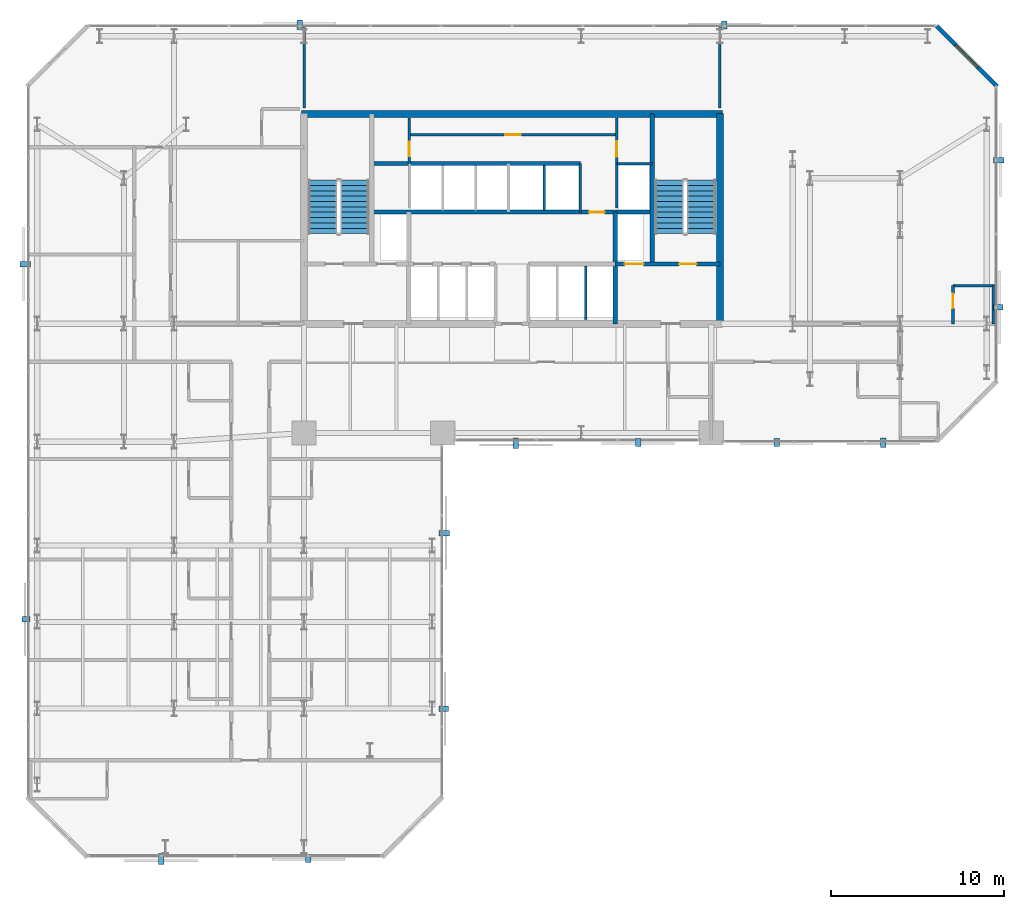
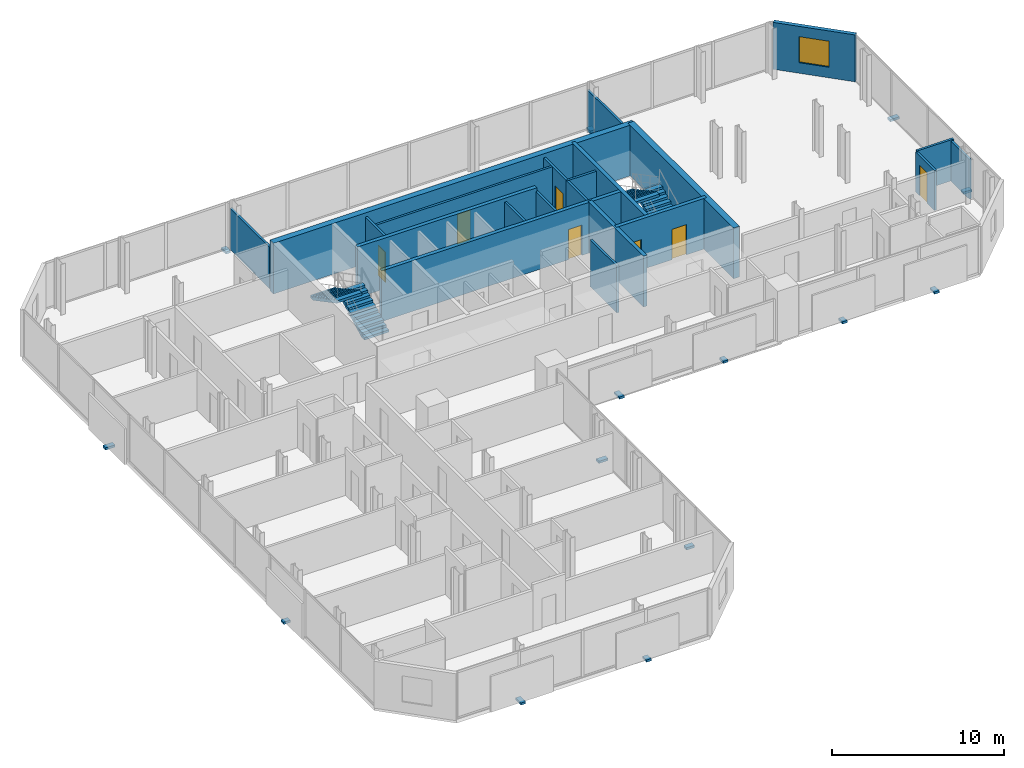
# One storey, part 31 of 33: 21 walls, 14 discrete accessories, 7 doors, 4 stair flights, 1 window, 8 openings, 2 elements without a shape of their own.
"""IFC4 building model written with IfcOpenShell, lengths in metres."""

import ifcopenshell
import ifcopenshell.guid

model = None  # the IFC model being written
_history = None  # IfcOwnerHistory: only IFC2X3 demands one
_inside = {}  # id of a spatial element -> (the spatial element, [elements in it])
_under = {}  # id of a project, library or spatial element -> (it, [spatial elements below it])
_declared = {}  # id of a project -> (the project, [libraries it declares])
_typed = {}  # id of a type object -> (the type object, [elements of that type])
_made_of = {}  # id of a material, layer set ... -> (it, [elements and type objects made of it])


def new_model(schema):
    """Start an empty IFC model of exactly this schema.

    Asked for "IFC4X3", IfcOpenShell would pick the latest addendum, in which some entities
    have other attributes; the version numbers below select the first issue.
    IFC2X3 requires an IfcOwnerHistory on every rooted entity: one is made here for all.
    """
    global model, _history
    if schema == "IFC4X3":
        model = ifcopenshell.file(schema_version=(4, 3, 0, 0))
    else:
        model = ifcopenshell.file(schema=schema)
    _inside.clear()
    _under.clear()
    _declared.clear()
    _typed.clear()
    _made_of.clear()
    _history = None
    if model.schema == "IFC2X3":
        org = make("IfcOrganization", Name="unknown")
        user = make(
            "IfcPersonAndOrganization",
            ThePerson=make("IfcPerson", FamilyName="unknown"),
            TheOrganization=org,
        )
        app = make(
            "IfcApplication",
            ApplicationDeveloper=org,
            Version="unknown",
            ApplicationFullName="unknown",
            ApplicationIdentifier="unknown",
        )
        _history = make(
            "IfcOwnerHistory",
            OwningUser=user,
            OwningApplication=app,
            ChangeAction="ADDED",
            CreationDate=0,
        )
    return model


def make(cls, **values):
    """One entity of the class cls with the attributes given. An attribute that is None is left unset."""
    return model.create_entity(
        cls, **{name: value for name, value in values.items() if value is not None}
    )


def rooted(cls, **values):
    """An entity with a GlobalId (a new one), such as an element, a storey or a relation."""
    return make(cls, GlobalId=ifcopenshell.guid.new(), OwnerHistory=_history, **values)


def si_unit(unit_type, name, prefix=None):
    """IfcSIUnit, for example si_unit("LENGTHUNIT", "METRE", prefix="MILLI")."""
    return make("IfcSIUnit", UnitType=unit_type, Prefix=prefix, Name=name)


def assignment(units):
    """IfcUnitAssignment: the units of a project."""
    return None if units is None else make("IfcUnitAssignment", Units=units)


def point(xyz):
    """IfcCartesianPoint."""
    return None if xyz is None else make("IfcCartesianPoint", Coordinates=xyz)


def direction(xyz):
    """IfcDirection."""
    return None if xyz is None else make("IfcDirection", DirectionRatios=xyz)


def frame(location, z_axis=None, x_axis=None):
    """IfcAxis2Placement3D, a coordinate frame: its origin and axes. An axis left out is left unset."""
    return make(
        "IfcAxis2Placement3D",
        Location=point(location),
        Axis=direction(z_axis),
        RefDirection=direction(x_axis),
    )


def frame_2d(location, x_axis=None):
    """IfcAxis2Placement2D, a coordinate frame in the plane: its origin and x axis."""
    return make(
        "IfcAxis2Placement2D", Location=point(location), RefDirection=direction(x_axis)
    )


def origin():
    """The frame at (0, 0, 0) with its axes left unset."""
    return frame((0.0, 0.0, 0.0))


def origin_2d():
    """The frame at (0, 0) in the plane with its x axis left unset."""
    return frame_2d((0.0, 0.0))


def place(relative_to, where):
    """IfcLocalPlacement: puts the frame where relative to a parent placement (None: the world)."""
    return make(
        "IfcLocalPlacement", PlacementRelTo=relative_to, RelativePlacement=where
    )


def context(
    kind, dimensions, precision=None, world=None, true_north=None, identifier=None
):
    """IfcGeometricRepresentationContext, for example the 3D "Model" context."""
    return make(
        "IfcGeometricRepresentationContext",
        ContextIdentifier=identifier,
        ContextType=kind,
        CoordinateSpaceDimension=dimensions,
        Precision=precision,
        WorldCoordinateSystem=world,
        TrueNorth=true_north,
    )


def subcontext(parent, identifier, kind, view, scale=None):
    """IfcGeometricRepresentationSubContext, for example "Body" below "Model"."""
    return make(
        "IfcGeometricRepresentationSubContext",
        ContextIdentifier=identifier,
        ContextType=kind,
        ParentContext=parent,
        TargetScale=scale,
        TargetView=view,
    )


def project(units=None, contexts=None):
    """IfcProject with its units and contexts."""
    return rooted(
        "IfcProject",
        Name="project",
        RepresentationContexts=contexts,
        UnitsInContext=assignment(units),
    )


def spatial(cls, under=None, at=None, **own):
    """A site, building, storey or space (cls), placed at a placement, below another one or the project."""
    s = rooted(cls, ObjectPlacement=at, **own)
    if under is not None:
        _under.setdefault(under.id(), (under, []))[1].append(s)
    return s


def polyline(points):
    """IfcPolyline through the points."""
    return make("IfcPolyline", Points=[point(p) for p in points])


def profile(cls, at=None, kind="AREA", **sizes):
    """A parametric profile (cls). Its sizes go by their IFC names, for example OverallWidth=200.0."""
    return make(cls, ProfileType=kind, Position=at, **sizes)


def rectangle(**sizes):
    """IfcRectangleProfileDef."""
    return profile("IfcRectangleProfileDef", **sizes)


def outline(outer, holes=None, kind="AREA"):
    """IfcArbitraryClosedProfileDef: a profile drawn as a closed curve; with holes, ...WithVoids."""
    if holes is None:
        return make("IfcArbitraryClosedProfileDef", ProfileType=kind, OuterCurve=outer)
    return make(
        "IfcArbitraryProfileDefWithVoids",
        ProfileType=kind,
        OuterCurve=outer,
        InnerCurves=holes,
    )


def extrude(swept, where, along, depth):
    """IfcExtrudedAreaSolid: the profile swept, set in the frame where, extruded along a direction by depth."""
    return make(
        "IfcExtrudedAreaSolid",
        SweptArea=swept,
        Position=where,
        ExtrudedDirection=direction(along),
        Depth=depth,
    )


def shape(context_of_items, identifier, shape_type, items):
    """IfcShapeRepresentation: the items that make up one representation, for example the "Body"."""
    return make(
        "IfcShapeRepresentation",
        ContextOfItems=context_of_items,
        RepresentationIdentifier=identifier,
        RepresentationType=shape_type,
        Items=items,
    )


def material(Name=None, Category=None):
    """IfcMaterial."""
    return make("IfcMaterial", Name=Name, Category=Category)


def layer(
    of_material, thickness, ventilated=None, Name=None, Category=None, Priority=None
):
    """IfcMaterialLayer: one layer of a wall or slab, of a material (None: an air gap)."""
    return make(
        "IfcMaterialLayer",
        Material=of_material,
        LayerThickness=thickness,
        IsVentilated=ventilated,
        Name=Name,
        Category=Category,
        Priority=Priority,
    )


def layer_set(layers, Name=None):
    """IfcMaterialLayerSet."""
    return make("IfcMaterialLayerSet", MaterialLayers=layers, LayerSetName=Name)


def made_of(thing, what):
    """Note that an element or type object is made of a material, layer set ...; save() writes the relation."""
    if what is not None:
        _made_of.setdefault(what.id(), (what, []))[1].append(thing)
    return thing


def type_object(cls, material=None, **own):
    """A type object (cls), such as IfcWallType, which elements share."""
    return made_of(rooted(cls, **own), material)


def element(
    cls,
    number,
    at=None,
    inside=None,
    cuts=None,
    type_object=None,
    material=None,
    context=None,
    identifier="Body",
    shape_type=None,
    held_by="IfcProductDefinitionShape",
    body=None,
    shapes=None,
    **own,
):
    """One element of the class cls, such as IfcWall. Its Tag is "e" and its number.

    at: its placement. inside: the storey or other place that contains it. cuts: it is an
    opening in that element (IfcRelVoidsElement). A single representation is given by context,
    identifier, shape_type and body (its items); several are given by shapes. held_by: the class
    of the entity that holds the representations. save() writes the other relations.
    """
    e = rooted(cls, Tag="e%d" % number, ObjectPlacement=at, **own)
    if body is not None:
        shapes = [shape(context, identifier, shape_type, body)]
    if shapes is not None:
        e.Representation = make(held_by, Representations=shapes)
    if inside is not None:
        _inside.setdefault(inside.id(), (inside, []))[1].append(e)
    if cuts is not None:
        rooted(
            "IfcRelVoidsElement", RelatingBuildingElement=cuts, RelatedOpeningElement=e
        )
    if type_object is not None:
        _typed.setdefault(type_object.id(), (type_object, []))[1].append(e)
    return made_of(e, material)


def fill(opening, filler):
    """IfcRelFillsElement: the door or window that sits in an opening."""
    return rooted(
        "IfcRelFillsElement",
        RelatingOpeningElement=opening,
        RelatedBuildingElement=filler,
    )


def aggregate(whole, parts):
    """IfcRelAggregates: a whole, such as a stair, and the parts it consists of."""
    return rooted("IfcRelAggregates", RelatingObject=whole, RelatedObjects=parts)


def save(model, path):
    """Write the relations noted so far, then the file.

    IfcRelAggregates (storeys below a building ...), IfcRelContainedInSpatialStructure (elements
    in a storey), IfcRelDefinesByType, IfcRelAssociatesMaterial and IfcRelDeclares: one each for
    every whole, place, type object, material and project.
    """
    for whole, parts in _under.values():
        aggregate(whole, parts)
    for where, things in _inside.values():
        rooted(
            "IfcRelContainedInSpatialStructure",
            RelatedElements=things,
            RelatingStructure=where,
        )
    for kind, things in _typed.values():
        rooted("IfcRelDefinesByType", RelatedObjects=things, RelatingType=kind)
    for what, things in _made_of.values():
        rooted("IfcRelAssociatesMaterial", RelatedObjects=things, RelatingMaterial=what)
    for by, libraries in _declared.values():
        rooted("IfcRelDeclares", RelatingContext=by, RelatedDefinitions=libraries)
    model.write(path)


model = new_model("IFC4")

# Units and contexts
model_context = context("Model", 3, precision=1e-05, world=origin(), true_north=direction((0.0, 1.0)))
body_context = subcontext(model_context, "Body", "Model", "MODEL_VIEW")
ifc_project = project(units=[si_unit("LENGTHUNIT", "METRE"), si_unit("AREAUNIT", "SQUARE_METRE"), si_unit("VOLUMEUNIT", "CUBIC_METRE"), si_unit("PLANEANGLEUNIT", "RADIAN"), si_unit("MASSUNIT", "GRAM", prefix="KILO")], contexts=[model_context])

# Site, building, storey
site_placement = place(None, origin())
site = spatial("IfcSite", under=ifc_project, at=site_placement, CompositionType="ELEMENT")
building_placement = place(site_placement, origin())
building = spatial("IfcBuilding", under=site, at=building_placement, Name="Catumbela Crestline Tower", CompositionType="ELEMENT")
storey_placement = place(building_placement, frame((0.0, 0.0, 72.6)))
storey = spatial("IfcBuildingStorey", under=building, at=storey_placement, Name="L18", CompositionType="ELEMENT", Elevation=72.6)

# Walls
ifc_material_1 = material(Name="Concrete C50/60", Category="concrete")
ifc_layer_1 = layer(ifc_material_1, 0.25, Name="Concrete C50/60")
ifc_layer_set_1 = layer_set([ifc_layer_1], Name="Concrete C50/60")
wall_type_1 = type_object("IfcWallType", Name="CW-250D", PredefinedType="SHEAR", material=ifc_layer_set_1)
wall_1_placement = place(storey_placement, frame((36.1, 34.25, 0.0), z_axis=(0.0, 0.0, 1.0), x_axis=(0.0, 1.0, 0.0)))
element("IfcWall", 1, at=wall_1_placement, inside=storey, type_object=wall_type_1, Name="L18 Structural Core Shear Wall EWEB", PredefinedType="SHEAR", context=body_context, shape_type="SweptSolid", body=[
    extrude(rectangle(XDim=8.65, YDim=0.25, at=frame_2d((4.325, 0.0))), origin(), (0.0, 0.0, 1.0), 3.6),
])
wall_2_placement = place(storey_placement, frame((33.95, 30.8, 0.0), z_axis=(0.0, 0.0, 1.0), x_axis=(0.0, 1.0, 0.0)))
element("IfcWall", 2, at=wall_2_placement, inside=storey, type_object=wall_type_1, Name="L18 Structural Core Shear Wall FFE", PredefinedType="SHEAR", context=body_context, shape_type="SweptSolid", body=[
    extrude(rectangle(XDim=6.45, YDim=0.25, at=frame_2d((3.225, 0.0))), origin(), (0.0, 0.0, 1.0), 3.6),
])

# Wall, openings, doors
wall_3_placement = place(storey_placement, frame((33.95, 34.25, 0.0), z_axis=(0.0, 0.0, 1.0), x_axis=(1.0, 0.0, 0.0)))
wall_3 = element("IfcWall", 3, at=wall_3_placement, inside=storey, type_object=wall_type_1, Name="L18 Structural Core Shear Wall ST2S", PredefinedType="SHEAR", context=body_context, shape_type="SweptSolid", body=[
    extrude(rectangle(XDim=6.05, YDim=0.25, at=frame_2d((3.025, 0.0))), origin(), (0.0, 0.0, 1.0), 3.6),
])
opening_1_placement = place(wall_3_placement, frame((3.7, 0.0, 0.0)))
opening_1 = element("IfcOpeningElement", 4, at=opening_1_placement, cuts=wall_3, Name="Opening DF9-100", PredefinedType="OPENING", context=body_context, shape_type="SweptSolid", body=[
    extrude(rectangle(XDim=1.0, YDim=2.15, at=frame_2d((0.5, 1.075))), frame((0.0, 0.135, 0.0), z_axis=(0.0, -1.0, 0.0), x_axis=(1.0, 0.0, 0.0)), (0.0, 0.0, 1.0), 0.27),
])
opening_2_placement = place(wall_3_placement, frame((0.55, 0.0, 0.0)))
opening_2 = element("IfcOpeningElement", 5, at=opening_2_placement, cuts=wall_3, Name="Opening LD-110", PredefinedType="OPENING", context=body_context, shape_type="SweptSolid", body=[
    extrude(rectangle(XDim=1.1, YDim=2.15, at=frame_2d((0.55, 1.075))), frame((0.0, 0.135, 0.0), z_axis=(0.0, -1.0, 0.0), x_axis=(1.0, 0.0, 0.0)), (0.0, 0.0, 1.0), 0.27),
])
ifc_material_2 = material(Name="Stainless steel EN 1.4401", Category="steel")
door_type_1 = type_object("IfcDoorType", Name="DF9-100", OperationType="NOTDEFINED", PredefinedType="DOOR", material=ifc_material_2)
door_1_placement = place(opening_1_placement, origin())
door_1 = element("IfcDoor", 6, at=door_1_placement, inside=storey, type_object=door_type_1, Name="L18 Interior Door DR-L18-ST02", OperationType="SINGLE_SWING_RIGHT", OverallHeight=2.15, OverallWidth=1.0, PredefinedType="DOOR", context=body_context, shape_type="SweptSolid", body=[
    extrude(rectangle(XDim=1.0, YDim=2.15, at=frame_2d((0.5, 1.075))), frame((0.0, 0.025, 0.0), z_axis=(0.0, -1.0, 0.0), x_axis=(1.0, 0.0, 0.0)), (0.0, 0.0, 1.0), 0.05),
])
fill(opening_1, door_1)
door_type_2 = type_object("IfcDoorType", Name="LD-110", OperationType="NOTDEFINED", PredefinedType="DOOR", material=ifc_material_2)
door_2_placement = place(opening_2_placement, origin())
door_2 = element("IfcDoor", 7, at=door_2_placement, inside=storey, type_object=door_type_2, Name="L18 Lift Landing Sliding Door FL-02", OperationType="DOUBLE_DOOR_SLIDING", OverallHeight=2.15, OverallWidth=1.1, PredefinedType="DOOR", context=body_context, shape_type="SweptSolid", body=[
    extrude(rectangle(XDim=1.1, YDim=2.15, at=frame_2d((0.55, 1.075))), frame((0.0, 0.025, 0.0), z_axis=(0.0, -1.0, 0.0), x_axis=(1.0, 0.0, 0.0)), (0.0, 0.0, 1.0), 0.05),
])
fill(opening_2, door_2)

# Wall, opening, door
wall_4_placement = place(storey_placement, frame((19.9, 37.25, 0.0), z_axis=(0.0, 0.0, 1.0), x_axis=(1.0, 0.0, 0.0)))
wall_4 = element("IfcWall", 8, at=wall_4_placement, inside=storey, type_object=wall_type_1, Name="L18 Structural Core Shear Wall LIFTN", PredefinedType="SHEAR", context=body_context, shape_type="SweptSolid", body=[
    extrude(rectangle(XDim=16.2, YDim=0.25, at=frame_2d((8.1, 0.0))), origin(), (0.0, 0.0, 1.0), 3.6),
])
opening_3_placement = place(wall_4_placement, frame((12.55, 0.0, 0.0)))
opening_3 = element("IfcOpeningElement", 9, at=opening_3_placement, cuts=wall_4, Name="Opening DF9-090", PredefinedType="OPENING", context=body_context, shape_type="SweptSolid", body=[
    extrude(rectangle(XDim=0.9, YDim=2.15, at=frame_2d((0.45, 1.075))), frame((0.0, 0.135, 0.0), z_axis=(0.0, -1.0, 0.0), x_axis=(1.0, 0.0, 0.0)), (0.0, 0.0, 1.0), 0.27),
])
door_type_3 = type_object("IfcDoorType", Name="DF9-090", OperationType="NOTDEFINED", PredefinedType="DOOR", material=ifc_material_2)
door_3_placement = place(opening_3_placement, origin())
door_3 = element("IfcDoor", 10, at=door_3_placement, inside=storey, type_object=door_type_3, Name="L18 Interior Door DR-L18-CPAS1", OperationType="SINGLE_SWING_LEFT", OverallHeight=2.15, OverallWidth=0.9, PredefinedType="DOOR", context=body_context, shape_type="SweptSolid", body=[
    extrude(rectangle(XDim=0.9, YDim=2.15, at=frame_2d((0.45, 1.075))), frame((0.0, 0.025, 0.0), z_axis=(0.0, -1.0, 0.0), x_axis=(1.0, 0.0, 0.0)), (0.0, 0.0, 1.0), 0.05),
])
fill(opening_3, door_3)

# Walls
wall_5_placement = place(storey_placement, frame((19.9, 40.05, 0.0), z_axis=(0.0, 0.0, 1.0), x_axis=(1.0, 0.0, 0.0)))
element("IfcWall", 11, at=wall_5_placement, inside=storey, type_object=wall_type_1, Name="L18 Structural Core Shear Wall COREN", PredefinedType="SHEAR", context=body_context, shape_type="SweptSolid", body=[
    extrude(rectangle(XDim=12.05, YDim=0.25, at=frame_2d((6.025, 0.0))), origin(), (0.0, 0.0, 1.0), 3.6),
])
ifc_material_3 = material(Name="Concrete C60/75", Category="concrete")
ifc_layer_2 = layer(ifc_material_3, 0.4, Name="Concrete C60/75")
ifc_layer_set_2 = layer_set([ifc_layer_2], Name="Concrete C60/75")
wall_type_2 = type_object("IfcWallType", Name="CW-400A", PredefinedType="SHEAR", material=ifc_layer_set_2)
wall_6_placement = place(storey_placement, frame((40.0, 30.65, 0.0), z_axis=(0.0, 0.0, 1.0), x_axis=(0.0, 1.0, 0.0)))
element("IfcWall", 12, at=wall_6_placement, inside=storey, type_object=wall_type_2, Name="L18 Structural Core Shear Wall E", PredefinedType="SHEAR", context=body_context, shape_type="SweptSolid", body=[
    extrude(rectangle(XDim=12.3, YDim=0.4, at=frame_2d((6.15, 0.0))), origin(), (0.0, 0.0, 1.0), 3.6),
])
wall_7_placement = place(storey_placement, frame((15.85, 42.9, 0.0), z_axis=(0.0, 0.0, 1.0), x_axis=(1.0, 0.0, 0.0)))
element("IfcWall", 13, at=wall_7_placement, inside=storey, type_object=wall_type_2, Name="L18 Structural Core Shear Wall N", PredefinedType="SHEAR", context=body_context, shape_type="SweptSolid", body=[
    extrude(rectangle(XDim=24.3, YDim=0.4, at=frame_2d((12.15, 0.0))), origin(), (0.0, 0.0, 1.0), 3.6),
])

# Wall, opening, window
ifc_material_4 = material(Name="Angolan grey-ochre granite", Category="masonry")
ifc_layer_3 = layer(ifc_material_4, 0.25, Name="Angolan grey-ochre granite")
ifc_layer_set_3 = layer_set([ifc_layer_3], Name="Angolan grey-ochre granite")
wall_type_3 = type_object("IfcWallType", Name="WE-250", PredefinedType="STANDARD", material=ifc_layer_set_3)
wall_8_placement = place(storey_placement, frame((56.0, 44.5, 0.0), z_axis=(0.0, 0.0, 1.0), x_axis=(-0.707106781187, 0.707106781187, 0.0)))
wall_8 = element("IfcWall", 14, at=wall_8_placement, inside=storey, type_object=wall_type_3, Name="L18 Granite Punched Window Wall 6-1", PredefinedType="STANDARD", context=body_context, shape_type="SweptSolid", body=[
    extrude(rectangle(XDim=4.9497, YDim=0.25, at=frame_2d((2.4748, 0.0))), origin(), (0.0, 0.0, 1.0), 3.33),
])
opening_4_placement = place(wall_8_placement, frame((1.5749, 0.0, 0.75)))
opening_4 = element("IfcOpeningElement", 15, at=opening_4_placement, cuts=wall_8, Name="Opening WN-01", PredefinedType="OPENING", context=body_context, shape_type="SweptSolid", body=[
    extrude(rectangle(XDim=1.8, YDim=1.85, at=frame_2d((0.9, 0.925))), frame((0.0, 0.135, 0.0), z_axis=(0.0, -1.0, 0.0), x_axis=(1.0, 0.0, 0.0)), (0.0, 0.0, 1.0), 0.27),
])
ifc_material_5 = material(Name="Low-E laminated solar-control double glazing", Category="glass")
window_type = type_object("IfcWindowType", Name="WF-1800", PartitioningType="SINGLE_PANEL", PredefinedType="WINDOW", material=ifc_material_5)
window_placement = place(opening_4_placement, origin())
window = element("IfcWindow", 16, at=window_placement, inside=storey, type_object=window_type, Name="L18 Facade Vision Window 115", OverallHeight=1.85, OverallWidth=1.8, PartitioningType="SINGLE_PANEL", PredefinedType="WINDOW", context=body_context, shape_type="SweptSolid", body=[
    extrude(rectangle(XDim=1.8, YDim=1.85, at=frame_2d((0.9, 0.925))), frame((0.0, 0.03, 0.0), z_axis=(0.0, -1.0, 0.0), x_axis=(1.0, 0.0, 0.0)), (0.0, 0.0, 1.0), 0.06),
])
fill(opening_4, window)

# Wall
ifc_material_6 = material(Name="Acoustic gypsum and mineral-wool partition")
ifc_layer_4 = layer(ifc_material_6, 0.15, Name="Acoustic gypsum and mineral-wool partition")
ifc_layer_set_4 = layer_set([ifc_layer_4], Name="Acoustic gypsum and mineral-wool partition")
wall_type_4 = type_object("IfcWallType", Name="WP-150", PredefinedType="PARTITIONING", material=ifc_layer_set_4)
wall_9_placement = place(storey_placement, frame((34.05, 40.05, 0.0), z_axis=(0.0, 0.0, 1.0), x_axis=(1.0, 0.0, 0.0)))
element("IfcWall", 17, at=wall_9_placement, inside=storey, type_object=wall_type_4, Name="L18 Interior Partition PW-L18-CR-ES", PredefinedType="PARTITIONING", context=body_context, shape_type="SweptSolid", body=[
    extrude(rectangle(XDim=2.05, YDim=0.15, at=frame_2d((1.025, 0.0))), origin(), (0.0, 0.0, 1.0), 3.33),
])

# Wall, opening, door
wall_10_placement = place(storey_placement, frame((34.05, 40.05, 0.0), z_axis=(0.0, 0.0, 1.0), x_axis=(0.0, 1.0, 0.0)))
wall_10 = element("IfcWall", 18, at=wall_10_placement, inside=storey, type_object=wall_type_4, Name="L18 Interior Partition PW-L18-CR-EW", PredefinedType="PARTITIONING", context=body_context, shape_type="SweptSolid", body=[
    extrude(rectangle(XDim=2.63, YDim=0.15, at=frame_2d((1.315, 0.0))), origin(), (0.0, 0.0, 1.0), 3.33),
])
opening_5_placement = place(wall_10_placement, frame((0.385, 0.0, 0.0)))
opening_5 = element("IfcOpeningElement", 19, at=opening_5_placement, cuts=wall_10, Name="Opening DF9-090", PredefinedType="OPENING", context=body_context, shape_type="SweptSolid", body=[
    extrude(rectangle(XDim=0.9, YDim=2.15, at=frame_2d((0.45, 1.075))), frame((0.0, 0.085, 0.0), z_axis=(0.0, -1.0, 0.0), x_axis=(1.0, 0.0, 0.0)), (0.0, 0.0, 1.0), 0.17),
])
door_4_placement = place(opening_5_placement, origin())
door_4 = element("IfcDoor", 20, at=door_4_placement, inside=storey, type_object=door_type_3, Name="L18 Interior Door DR-L18-CREAST", OperationType="SINGLE_SWING_RIGHT", OverallHeight=2.15, OverallWidth=0.9, PredefinedType="DOOR", context=body_context, shape_type="SweptSolid", body=[
    extrude(rectangle(XDim=0.9, YDim=2.15, at=frame_2d((0.45, 1.075))), frame((0.0, 0.025, 0.0), z_axis=(0.0, -1.0, 0.0), x_axis=(1.0, 0.0, 0.0)), (0.0, 0.0, 1.0), 0.05),
])
fill(opening_5, door_4)

wall_11_placement = place(storey_placement, frame((22.08, 40.05, 0.0), z_axis=(0.0, 0.0, 1.0), x_axis=(0.0, 1.0, 0.0)))
wall_11 = element("IfcWall", 21, at=wall_11_placement, inside=storey, type_object=wall_type_4, Name="L18 Interior Partition PW-L18-CR-WCW", PredefinedType="PARTITIONING", context=body_context, shape_type="SweptSolid", body=[
    extrude(rectangle(XDim=2.63, YDim=0.15, at=frame_2d((1.315, 0.0))), origin(), (0.0, 0.0, 1.0), 3.33),
])
opening_6_placement = place(wall_11_placement, frame((0.41, 0.0, 0.0)))
opening_6 = element("IfcOpeningElement", 22, at=opening_6_placement, cuts=wall_11, Name="Opening DI-085", PredefinedType="OPENING", context=body_context, shape_type="SweptSolid", body=[
    extrude(rectangle(XDim=0.85, YDim=2.15, at=frame_2d((0.425, 1.075))), frame((0.0, 0.085, 0.0), z_axis=(0.0, -1.0, 0.0), x_axis=(1.0, 0.0, 0.0)), (0.0, 0.0, 1.0), 0.17),
])
ifc_material_7 = material(Name="Aluminium alloy AW-6060-T66", Category="aluminium")
door_type_4 = type_object("IfcDoorType", Name="DI-085", OperationType="NOTDEFINED", PredefinedType="DOOR", material=ifc_material_7)
door_5_placement = place(opening_6_placement, origin())
door_5 = element("IfcDoor", 23, at=door_5_placement, inside=storey, type_object=door_type_4, Name="L18 Interior Door DR-L18-CRWC", OperationType="SINGLE_SWING_LEFT", OverallHeight=2.15, OverallWidth=0.85, PredefinedType="DOOR", context=body_context, shape_type="SweptSolid", body=[
    extrude(rectangle(XDim=0.85, YDim=2.15, at=frame_2d((0.425, 1.075))), frame((0.0, 0.025, 0.0), z_axis=(0.0, -1.0, 0.0), x_axis=(1.0, 0.0, 0.0)), (0.0, 0.0, 1.0), 0.05),
])
fill(opening_6, door_5)

wall_12_placement = place(storey_placement, frame((22.08, 41.72, 0.0), z_axis=(0.0, 0.0, 1.0), x_axis=(1.0, 0.0, 0.0)))
wall_12 = element("IfcWall", 24, at=wall_12_placement, inside=storey, type_object=wall_type_4, Name="L18 Interior Partition PW-L18-CR-MID", PredefinedType="PARTITIONING", context=body_context, shape_type="SweptSolid", body=[
    extrude(rectangle(XDim=11.97, YDim=0.15, at=frame_2d((5.985, 0.0))), origin(), (0.0, 0.0, 1.0), 3.33),
])
opening_7_placement = place(wall_12_placement, frame((5.535, 0.0, 0.0)))
opening_7 = element("IfcOpeningElement", 25, at=opening_7_placement, cuts=wall_12, Name="Opening DF9-090", PredefinedType="OPENING", context=body_context, shape_type="SweptSolid", body=[
    extrude(rectangle(XDim=0.9, YDim=2.15, at=frame_2d((0.45, 1.075))), frame((0.0, 0.085, 0.0), z_axis=(0.0, -1.0, 0.0), x_axis=(1.0, 0.0, 0.0)), (0.0, 0.0, 1.0), 0.17),
])
door_6_placement = place(opening_7_placement, origin())
door_6 = element("IfcDoor", 26, at=door_6_placement, inside=storey, type_object=door_type_3, Name="L18 Interior Door DR-L18-CRMID", OperationType="SINGLE_SWING_LEFT", OverallHeight=2.15, OverallWidth=0.9, PredefinedType="DOOR", context=body_context, shape_type="SweptSolid", body=[
    extrude(rectangle(XDim=0.9, YDim=2.15, at=frame_2d((0.45, 1.075))), frame((0.0, 0.025, 0.0), z_axis=(0.0, -1.0, 0.0), x_axis=(1.0, 0.0, 0.0)), (0.0, 0.0, 1.0), 0.05),
])
fill(opening_7, door_6)

# Walls
for number, where, z_axis, x_axis, name in (
    (27, (16.0, 43.27, 0.0), (0.0, 0.0, 1.0), (0.0, 1.0, 0.0), "L18 Interior Partition PW-L18-NCF-W"),
    (28, (40.0, 43.27, 0.0), (0.0, 0.0, 1.0), (0.0, 1.0, 0.0), "L18 Interior Partition PW-L18-NCF-E"),
):
    element("IfcWall", number, at=place(storey_placement, frame(where, z_axis=z_axis, x_axis=x_axis)), inside=storey, type_object=wall_type_4, Name=name, PredefinedType="PARTITIONING", context=body_context, shape_type="SweptSolid", body=[
        extrude(rectangle(XDim=4.63, YDim=0.15, at=frame_2d((2.315, 0.0))), origin(), (0.0, 0.0, 1.0), 2.92),
    ])
wall_13_placement = place(storey_placement, frame((53.45, 33.0, 0.0), z_axis=(0.0, 0.0, 1.0), x_axis=(1.0, 0.0, 0.0)))
element("IfcWall", 29, at=wall_13_placement, inside=storey, type_object=wall_type_4, Name="L18 Interior Partition PW-L18-NES-BHW", PredefinedType="PARTITIONING", context=body_context, shape_type="SweptSolid", body=[
    extrude(rectangle(XDim=2.45, YDim=0.15, at=frame_2d((1.225, 0.0))), origin(), (0.0, 0.0, 1.0), 2.92),
])

# Wall, opening, door
wall_14_placement = place(storey_placement, frame((53.45, 30.8, 0.0), z_axis=(0.0, 0.0, 1.0), x_axis=(0.0, 1.0, 0.0)))
wall_14 = element("IfcWall", 30, at=wall_14_placement, inside=storey, type_object=wall_type_4, Name="L18 Interior Partition PW-L18-NES-BWW", PredefinedType="PARTITIONING", context=body_context, shape_type="SweptSolid", body=[
    extrude(rectangle(XDim=2.2, YDim=0.15, at=frame_2d((1.1, 0.0))), origin(), (0.0, 0.0, 1.0), 2.83),
])
opening_8_placement = place(wall_14_placement, frame((0.8925, 0.0, 0.0)))
opening_8 = element("IfcOpeningElement", 31, at=opening_8_placement, cuts=wall_14, Name="Opening DI-085", PredefinedType="OPENING", context=body_context, shape_type="SweptSolid", body=[
    extrude(rectangle(XDim=0.85, YDim=2.15, at=frame_2d((0.425, 1.075))), frame((0.0, 0.085, 0.0), z_axis=(0.0, -1.0, 0.0), x_axis=(1.0, 0.0, 0.0)), (0.0, 0.0, 1.0), 0.17),
])
door_7_placement = place(opening_8_placement, origin())
door_7 = element("IfcDoor", 32, at=door_7_placement, inside=storey, type_object=door_type_4, Name="L18 Interior Door DR-L18-NES-BTH", OperationType="SINGLE_SWING_RIGHT", OverallHeight=2.15, OverallWidth=0.85, PredefinedType="DOOR", context=body_context, shape_type="SweptSolid", body=[
    extrude(rectangle(XDim=0.85, YDim=2.15, at=frame_2d((0.425, 1.075))), frame((0.0, 0.025, 0.0), z_axis=(0.0, -1.0, 0.0), x_axis=(1.0, 0.0, 0.0)), (0.0, 0.0, 1.0), 0.05),
])
fill(opening_8, door_7)

# Walls
wall_15_placement = place(storey_placement, frame((55.78, 33.0, 0.0), z_axis=(0.0, 0.0, 1.0), x_axis=(0.0, -1.0, 0.0)))
element("IfcWall", 33, at=wall_15_placement, inside=storey, type_object=wall_type_4, Name="L18 Interior Partition PW-L18-NES-BCL-2", PredefinedType="PARTITIONING", context=body_context, shape_type="SweptSolid", body=[
    extrude(rectangle(XDim=2.2, YDim=0.15, at=frame_2d((1.1, 0.0))), origin(), (0.0, 0.0, 1.0), 2.83),
])
ifc_layer_5 = layer(ifc_material_6, 0.15, Name="Acoustic gypsum and mineral-wool partition")
ifc_layer_set_5 = layer_set([ifc_layer_5], Name="Acoustic gypsum and mineral-wool partition")
wall_type_5 = type_object("IfcWallType", Name="WS-150", PredefinedType="PLUMBINGWALL", material=ifc_layer_set_5)
wall_16_placement = place(storey_placement, frame((32.25, 31.05, 0.0), z_axis=(0.0, 0.0, 1.0), x_axis=(0.0, 1.0, 0.0)))
element("IfcWall", 34, at=wall_16_placement, inside=storey, type_object=wall_type_5, Name="L18 Interior Partition PW-L18-SHM2", PredefinedType="PLUMBINGWALL", context=body_context, shape_type="SweptSolid", body=[
    extrude(rectangle(XDim=3.1, YDim=0.15, at=frame_2d((1.55, 0.0))), origin(), (0.0, 0.0, 1.0), 3.33),
])
wall_17_placement = place(storey_placement, frame((31.95, 37.25, 0.0), z_axis=(0.0, 0.0, 1.0), x_axis=(0.0, 1.0, 0.0)))
element("IfcWall", 35, at=wall_17_placement, inside=storey, type_object=wall_type_5, Name="L18 Interior Partition PW-L18-SHEX2E", PredefinedType="PLUMBINGWALL", context=body_context, shape_type="SweptSolid", body=[
    extrude(rectangle(XDim=2.8, YDim=0.15, at=frame_2d((1.4, 0.0))), origin(), (0.0, 0.0, 1.0), 3.33),
])
wall_18_placement = place(storey_placement, frame((29.85, 37.35, 0.0), z_axis=(0.0, 0.0, 1.0), x_axis=(0.0, 1.0, 0.0)))
element("IfcWall", 36, at=wall_18_placement, inside=storey, type_object=wall_type_5, Name="L18 Interior Partition PW-L18-SHEX1", PredefinedType="PLUMBINGWALL", context=body_context, shape_type="SweptSolid", body=[
    extrude(rectangle(XDim=2.6, YDim=0.15, at=frame_2d((1.3, 0.0))), origin(), (0.0, 0.0, 1.0), 3.33),
])
wall_19_placement = place(storey_placement, frame((34.05, 37.4734, 0.0), z_axis=(0.0, 0.0, 1.0), x_axis=(0.0, 1.0, 0.0)))
element("IfcWall", 37, at=wall_19_placement, inside=storey, type_object=wall_type_5, Name="L18 Interior Partition PW-L18-RISW", PredefinedType="PLUMBINGWALL", context=body_context, shape_type="SweptSolid", body=[
    extrude(rectangle(XDim=2.5766, YDim=0.15, at=frame_2d((1.2883, 0.0))), origin(), (0.0, 0.0, 1.0), 3.33),
])

# Stair, stair flights
ifc_material_8 = material(Name="Concrete C45/55", Category="concrete")
stair_type = type_object("IfcStairType", Name="ST-DLG", PredefinedType="HALF_TURN_STAIR", material=ifc_material_8)
stair_1_placement = place(storey_placement, origin())
stair_1 = element("IfcStair", 38, at=stair_1_placement, inside=storey, type_object=stair_type, Name="L18 West Core Pressurised Exit Stair ST-01", PredefinedType="HALF_TURN_STAIR")
stair_flight_type = type_object("IfcStairFlightType", Name="SF-1636", PredefinedType="STRAIGHT", material=ifc_material_8)
stair_flight_1_placement = place(storey_placement, frame((18.92, 36.0, 0.0), z_axis=(0.0, 0.0, 1.0), x_axis=(0.0, 1.0, 0.0)))
stair_flight_1 = element("IfcStairFlight", 39, at=stair_flight_1_placement, type_object=stair_flight_type, Name="ST-01 flight 1", NumberOfRisers=11, NumberOfTreads=10, PredefinedType="STRAIGHT", RiserHeight=0.163636364, TreadLength=0.31, context=body_context, shape_type="SweptSolid", body=[
    extrude(outline(polyline([(0.0, 0.0), (0.0, 0.1636), (0.31, 0.1636), (0.31, 0.3273), (0.62, 0.3273), (0.62, 0.4909), (0.93, 0.4909), (0.93, 0.6545), (1.24, 0.6545), (1.24, 0.8182), (1.55, 0.8182), (1.55, 0.9818), (1.86, 0.9818), (1.86, 1.1455), (2.17, 1.1455), (2.17, 1.3091), (2.48, 1.3091), (2.48, 1.4727), (2.79, 1.4727), (2.79, 1.6364), (3.1, 1.6364), (3.1, 1.8), (3.1, 1.4554), (0.3427, 0.0), (0.0, 0.0)])), frame((0.0, 0.83, 0.0), z_axis=(0.0, -1.0, 0.0), x_axis=(1.0, 0.0, 0.0)), (0.0, 0.0, 1.0), 1.66),
])
stair_flight_2_placement = place(storey_placement, frame((17.08, 39.1, 1.8), z_axis=(0.0, 0.0, 1.0), x_axis=(0.0, -1.0, 0.0)))
stair_flight_2 = element("IfcStairFlight", 40, at=stair_flight_2_placement, type_object=stair_flight_type, Name="ST-01 flight 2", NumberOfRisers=11, NumberOfTreads=10, PredefinedType="STRAIGHT", RiserHeight=0.163636364, TreadLength=0.31, context=body_context, shape_type="SweptSolid", body=[
    extrude(outline(polyline([(0.0, 0.0), (0.0, 0.1636), (0.31, 0.1636), (0.31, 0.3273), (0.62, 0.3273), (0.62, 0.4909), (0.93, 0.4909), (0.93, 0.6545), (1.24, 0.6545), (1.24, 0.8182), (1.55, 0.8182), (1.55, 0.9818), (1.86, 0.9818), (1.86, 1.1455), (2.17, 1.1455), (2.17, 1.3091), (2.48, 1.3091), (2.48, 1.4727), (2.79, 1.4727), (2.79, 1.6364), (3.1, 1.6364), (3.1, 1.8), (3.1, 1.4554), (0.3427, 0.0), (0.0, 0.0)])), frame((0.0, 0.83, 0.0), z_axis=(0.0, -1.0, 0.0), x_axis=(1.0, 0.0, 0.0)), (0.0, 0.0, 1.0), 1.66),
])
aggregate(stair_1, [stair_flight_1, stair_flight_2])

stair_2_placement = place(storey_placement, origin())
stair_2 = element("IfcStair", 41, at=stair_2_placement, inside=storey, type_object=stair_type, Name="L18 East Core Pressurised Exit Stair ST-02", PredefinedType="HALF_TURN_STAIR")
stair_flight_3_placement = place(storey_placement, frame((38.92, 36.0, 0.0), z_axis=(0.0, 0.0, 1.0), x_axis=(0.0, 1.0, 0.0)))
stair_flight_3 = element("IfcStairFlight", 42, at=stair_flight_3_placement, type_object=stair_flight_type, Name="ST-02 flight 1", NumberOfRisers=11, NumberOfTreads=10, PredefinedType="STRAIGHT", RiserHeight=0.163636364, TreadLength=0.31, context=body_context, shape_type="SweptSolid", body=[
    extrude(outline(polyline([(0.0, 0.0), (0.0, 0.1636), (0.31, 0.1636), (0.31, 0.3273), (0.62, 0.3273), (0.62, 0.4909), (0.93, 0.4909), (0.93, 0.6545), (1.24, 0.6545), (1.24, 0.8182), (1.55, 0.8182), (1.55, 0.9818), (1.86, 0.9818), (1.86, 1.1455), (2.17, 1.1455), (2.17, 1.3091), (2.48, 1.3091), (2.48, 1.4727), (2.79, 1.4727), (2.79, 1.6364), (3.1, 1.6364), (3.1, 1.8), (3.1, 1.4554), (0.3427, 0.0), (0.0, 0.0)])), frame((0.0, 0.83, 0.0), z_axis=(0.0, -1.0, 0.0), x_axis=(1.0, 0.0, 0.0)), (0.0, 0.0, 1.0), 1.66),
])
stair_flight_4_placement = place(storey_placement, frame((37.08, 39.1, 1.8), z_axis=(0.0, 0.0, 1.0), x_axis=(0.0, -1.0, 0.0)))
stair_flight_4 = element("IfcStairFlight", 43, at=stair_flight_4_placement, type_object=stair_flight_type, Name="ST-02 flight 2", NumberOfRisers=11, NumberOfTreads=10, PredefinedType="STRAIGHT", RiserHeight=0.163636364, TreadLength=0.31, context=body_context, shape_type="SweptSolid", body=[
    extrude(outline(polyline([(0.0, 0.0), (0.0, 0.1636), (0.31, 0.1636), (0.31, 0.3273), (0.62, 0.3273), (0.62, 0.4909), (0.93, 0.4909), (0.93, 0.6545), (1.24, 0.6545), (1.24, 0.8182), (1.55, 0.8182), (1.55, 0.9818), (1.86, 0.9818), (1.86, 1.1455), (2.17, 1.1455), (2.17, 1.3091), (2.48, 1.3091), (2.48, 1.4727), (2.79, 1.4727), (2.79, 1.6364), (3.1, 1.6364), (3.1, 1.8), (3.1, 1.4554), (0.3427, 0.0), (0.0, 0.0)])), frame((0.0, 0.83, 0.0), z_axis=(0.0, -1.0, 0.0), x_axis=(1.0, 0.0, 0.0)), (0.0, 0.0, 1.0), 1.66),
])
aggregate(stair_2, [stair_flight_3, stair_flight_4])

# Discrete accessories
discrete_accessory_type = type_object("IfcDiscreteAccessoryType", Name="BK-SS1", PredefinedType="BRACKET", material=ifc_material_2)
discrete_accessory_1_placement = place(storey_placement, frame((7.75, -0.085, -0.18), z_axis=(0.0, 0.0, 1.0), x_axis=(1.0, 0.0, 0.0)))
element("IfcDiscreteAccessory", 44, at=discrete_accessory_1_placement, inside=storey, type_object=discrete_accessory_type, Name="L18 Solar Screen Stainless Bracket 183", PredefinedType="BRACKET", context=body_context, shape_type="SweptSolid", body=[
    extrude(rectangle(XDim=0.32, YDim=0.62, at=origin_2d()), origin(), (0.0, 0.0, 1.0), 0.16),
])
discrete_accessory_2_placement = place(storey_placement, frame((16.25, -0.045, -0.18), z_axis=(0.0, 0.0, 1.0), x_axis=(1.0, 0.0, 0.0)))
element("IfcDiscreteAccessory", 45, at=discrete_accessory_2_placement, inside=storey, type_object=discrete_accessory_type, Name="L18 Solar Screen Stainless Bracket 184", PredefinedType="BRACKET", context=body_context, shape_type="SweptSolid", body=[
    extrude(rectangle(XDim=0.32, YDim=0.46, at=origin_2d()), origin(), (0.0, 0.0, 1.0), 0.16),
])
discrete_accessory_3_placement = place(storey_placement, frame((24.065, 8.575, -0.18), z_axis=(0.0, 0.0, 1.0), x_axis=(0.0, 1.0, 0.0)))
element("IfcDiscreteAccessory", 46, at=discrete_accessory_3_placement, inside=storey, type_object=discrete_accessory_type, Name="L18 Solar Screen Stainless Bracket 185", PredefinedType="BRACKET", context=body_context, shape_type="SweptSolid", body=[
    extrude(rectangle(XDim=0.32, YDim=0.54, at=origin_2d()), origin(), (0.0, 0.0, 1.0), 0.16),
])
for number, where, z_axis, x_axis, name in (
    (47, (24.085, 18.725, -0.18), (0.0, 0.0, 1.0), (0.0, 1.0, 0.0), "L18 Solar Screen Stainless Bracket 186"),
    (48, (28.225, 23.915, -0.18), (0.0, 0.0, 1.0), (1.0, 0.0, 0.0), "L18 Solar Screen Stainless Bracket 187"),
):
    element("IfcDiscreteAccessory", number, at=place(storey_placement, frame(where, z_axis=z_axis, x_axis=x_axis)), inside=storey, type_object=discrete_accessory_type, Name=name, PredefinedType="BRACKET", context=body_context, shape_type="SweptSolid", body=[
        extrude(rectangle(XDim=0.32, YDim=0.62, at=origin_2d()), origin(), (0.0, 0.0, 1.0), 0.16),
    ])
for number, where, z_axis, x_axis, name in (
    (49, (35.275, 23.955, -0.18), (0.0, 0.0, 1.0), (1.0, 0.0, 0.0), "L18 Solar Screen Stainless Bracket 188"),
    (50, (43.275, 23.955, -0.18), (0.0, 0.0, 1.0), (1.0, 0.0, 0.0), "L18 Solar Screen Stainless Bracket 189"),
):
    element("IfcDiscreteAccessory", number, at=place(storey_placement, frame(where, z_axis=z_axis, x_axis=x_axis)), inside=storey, type_object=discrete_accessory_type, Name=name, PredefinedType="BRACKET", context=body_context, shape_type="SweptSolid", body=[
        extrude(rectangle(XDim=0.32, YDim=0.46, at=origin_2d()), origin(), (0.0, 0.0, 1.0), 0.16),
    ])
for number, where, z_axis, x_axis, name in (
    (51, (49.425, 23.935, -0.18), (0.0, 0.0, 1.0), (1.0, 0.0, 0.0), "L18 Solar Screen Stainless Bracket 190"),
    (52, (56.065, 31.75, -0.18), (0.0, 0.0, 1.0), (0.0, 1.0, 0.0), "L18 Solar Screen Stainless Bracket 191"),
):
    element("IfcDiscreteAccessory", number, at=place(storey_placement, frame(where, z_axis=z_axis, x_axis=x_axis)), inside=storey, type_object=discrete_accessory_type, Name=name, PredefinedType="BRACKET", context=body_context, shape_type="SweptSolid", body=[
        extrude(rectangle(XDim=0.32, YDim=0.54, at=origin_2d()), origin(), (0.0, 0.0, 1.0), 0.16),
    ])
discrete_accessory_4_placement = place(storey_placement, frame((56.085, 40.25, -0.18), z_axis=(0.0, 0.0, 1.0), x_axis=(0.0, 1.0, 0.0)))
element("IfcDiscreteAccessory", 53, at=discrete_accessory_4_placement, inside=storey, type_object=discrete_accessory_type, Name="L18 Solar Screen Stainless Bracket 192", PredefinedType="BRACKET", context=body_context, shape_type="SweptSolid", body=[
    extrude(rectangle(XDim=0.32, YDim=0.62, at=origin_2d()), origin(), (0.0, 0.0, 1.0), 0.16),
])
discrete_accessory_5_placement = place(storey_placement, frame((40.25, 48.045, -0.18), z_axis=(0.0, 0.0, 1.0), x_axis=(-1.0, 0.0, 0.0)))
element("IfcDiscreteAccessory", 54, at=discrete_accessory_5_placement, inside=storey, type_object=discrete_accessory_type, Name="L18 Solar Screen Stainless Bracket 193", PredefinedType="BRACKET", context=body_context, shape_type="SweptSolid", body=[
    extrude(rectangle(XDim=0.32, YDim=0.46, at=origin_2d()), origin(), (0.0, 0.0, 1.0), 0.16),
])
discrete_accessory_6_placement = place(storey_placement, frame((15.75, 48.065, -0.18), z_axis=(0.0, 0.0, 1.0), x_axis=(-1.0, 0.0, 0.0)))
element("IfcDiscreteAccessory", 55, at=discrete_accessory_6_placement, inside=storey, type_object=discrete_accessory_type, Name="L18 Solar Screen Stainless Bracket 194", PredefinedType="BRACKET", context=body_context, shape_type="SweptSolid", body=[
    extrude(rectangle(XDim=0.32, YDim=0.54, at=origin_2d()), origin(), (0.0, 0.0, 1.0), 0.16),
])
discrete_accessory_7_placement = place(storey_placement, frame((-0.085, 34.25, -0.18), z_axis=(0.0, 0.0, 1.0), x_axis=(0.0, -1.0, 0.0)))
element("IfcDiscreteAccessory", 56, at=discrete_accessory_7_placement, inside=storey, type_object=discrete_accessory_type, Name="L18 Solar Screen Stainless Bracket 195", PredefinedType="BRACKET", context=body_context, shape_type="SweptSolid", body=[
    extrude(rectangle(XDim=0.32, YDim=0.62, at=origin_2d()), origin(), (0.0, 0.0, 1.0), 0.16),
])
discrete_accessory_8_placement = place(storey_placement, frame((-0.045, 13.75, -0.18), z_axis=(0.0, 0.0, 1.0), x_axis=(0.0, -1.0, 0.0)))
element("IfcDiscreteAccessory", 57, at=discrete_accessory_8_placement, inside=storey, type_object=discrete_accessory_type, Name="L18 Solar Screen Stainless Bracket 196", PredefinedType="BRACKET", context=body_context, shape_type="SweptSolid", body=[
    extrude(rectangle(XDim=0.32, YDim=0.46, at=origin_2d()), origin(), (0.0, 0.0, 1.0), 0.16),
])

save(model, "model.ifc")
